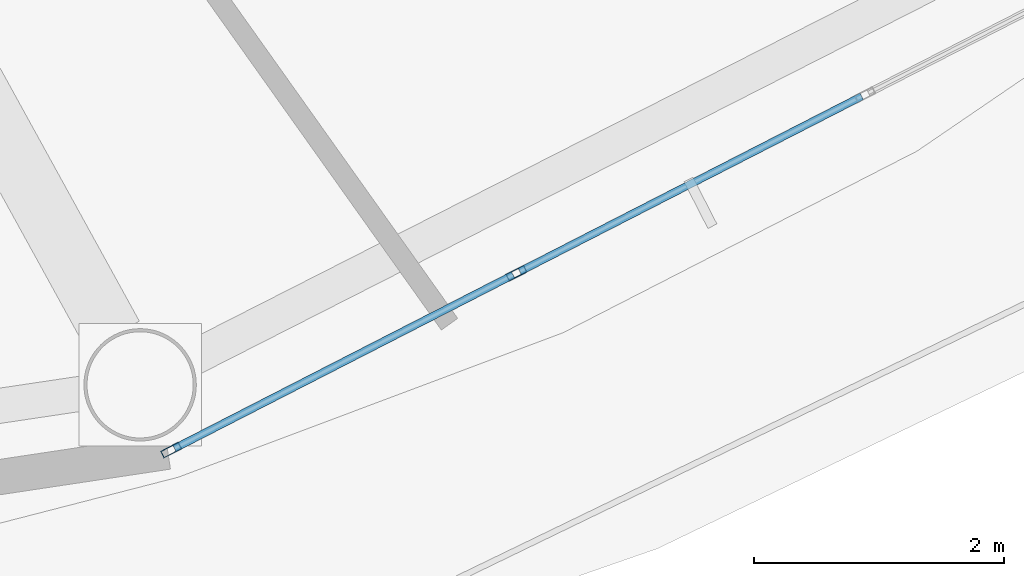
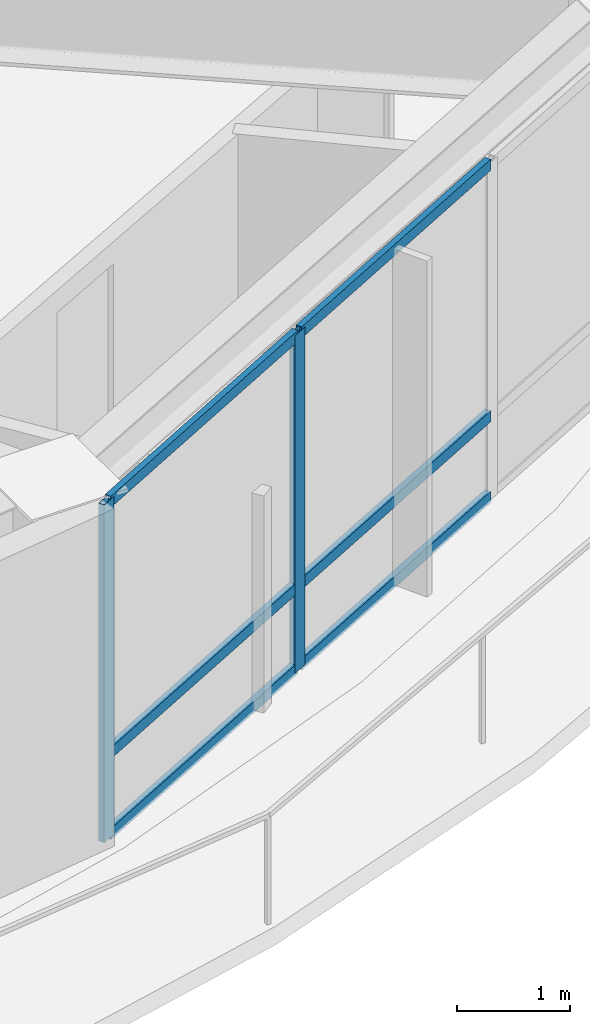
# One storey, part 5 of 24: 8 members, 1 element without a shape of its own.
"""IFC4 building model written with IfcOpenShell, lengths in metres."""

from ifc_helpers import new_model, si_unit, direction, frame, origin, origin_2d, place, context, subcontext, project, spatial, hollow_rectangle, extrude, material, layer, layer_set, material_profile, profile_set, type_object, element, aggregate, save


model = new_model("IFC4")

# Units and contexts
model_context = context("Model", 3, precision=1e-05, world=origin(), true_north=direction((0.0, 1.0)))
body_context = subcontext(model_context, "Body", "Model", "MODEL_VIEW")
ifc_project = project(units=[si_unit("LENGTHUNIT", "METRE"), si_unit("AREAUNIT", "SQUARE_METRE"), si_unit("VOLUMEUNIT", "CUBIC_METRE"), si_unit("PLANEANGLEUNIT", "RADIAN"), si_unit("MASSUNIT", "GRAM", prefix="KILO")], contexts=[model_context])

# Site, building, storey
site_placement = place(None, origin())
site = spatial("IfcSite", under=ifc_project, at=site_placement, CompositionType="ELEMENT")
building_placement = place(site_placement, origin())
building = spatial("IfcBuilding", under=site, at=building_placement, Name="Sarneth Arch Tower", CompositionType="ELEMENT")
storey_placement = place(building_placement, frame((0.0, 0.0, 312.60009765625)))
storey = spatial("IfcBuildingStorey", under=building, at=storey_placement, Name="L81", CompositionType="ELEMENT", Elevation=312.60009765625)

# Curtain wall, members
ifc_material_1 = material(Name="Anodised aluminium Type AA25 and solar-control low-e laminated IGU", Category="aluminium")
ifc_layer = layer(ifc_material_1, 0.179931640625)
ifc_layer_set = layer_set([ifc_layer], Name="Anodised aluminium Type AA25 and solar-control low-e laminated IGU")
curtain_wall_type = type_object("IfcCurtainWallType", Name="CW-RES-HIGH", PredefinedType="NOTDEFINED", material=ifc_layer_set)
curtain_wall_placement = place(storey_placement, origin())
curtain_wall = element("IfcCurtainWall", 1, at=curtain_wall_placement, inside=storey, type_object=curtain_wall_type, Name="L81 Unitised curtain wall facet 14", PredefinedType="NOTDEFINED")
ifc_material_2 = material(Name="Anodised Aluminium 6063-T6", Category="aluminium")
ifc_material_profile_1 = material_profile(ifc_material_2, hollow_rectangle(XDim=0.06005859375, YDim=0.159912109375, WallThickness=0.00390625, at=origin_2d()), Name="AL-MULL-160x60x4")
ifc_profile_set_1 = profile_set([ifc_material_profile_1], Name="Anodised Aluminium 6063-T6")
member_type_1 = type_object("IfcMemberType", Name="CW-MULLION", PredefinedType="MULLION", material=ifc_profile_set_1)
member_1_placement = place(storey_placement, frame((58.039306640625, 23.7392578125, 0.0), z_axis=(0.0, 0.0, 1.0), x_axis=(-0.455941901753, 0.890009540525, 0.0)))
member_1 = element("IfcMember", 2, at=member_1_placement, type_object=member_type_1, Name="CW-SYS-6 mullion 1", PredefinedType="MULLION", context=body_context, shape_type="SweptSolid", body=[
    extrude(hollow_rectangle(XDim=0.06005859375, YDim=0.159912109375, WallThickness=0.00390625, at=origin_2d()), origin(), (0.0, 0.0, 1.0), 3.639892578125),
])
member_2_placement = place(storey_placement, frame((60.802490234375, 25.155029296875, 0.0), z_axis=(0.0, 0.0, 1.0), x_axis=(-0.455941901753, 0.890009540525, 0.0)))
member_2 = element("IfcMember", 3, at=member_2_placement, type_object=member_type_1, Name="CW-SYS-6 mullion 2", PredefinedType="MULLION", context=body_context, shape_type="SweptSolid", body=[
    extrude(hollow_rectangle(XDim=0.06005859375, YDim=0.159912109375, WallThickness=0.00390625, at=origin_2d()), origin(), (0.0, 0.0, 1.0), 3.639892578125),
])
ifc_material_3 = material(Name="Anodised Aluminium 6063-T6", Category="aluminium")
ifc_material_profile_2 = material_profile(ifc_material_3, hollow_rectangle(XDim=0.06005859375, YDim=0.1201171875, WallThickness=0.00390625, at=origin_2d()), Name="AL-TRAN-120x60x4")
ifc_profile_set_2 = profile_set([ifc_material_profile_2], Name="Anodised Aluminium 6063-T6")
member_type_2 = type_object("IfcMemberType", Name="CW-TRANSOM", PredefinedType="USERDEFINED", material=ifc_profile_set_2)
member_3_placement = place(storey_placement, frame((58.066162109375, 23.7529296875, 0.02978515625), z_axis=(0.889973523166, 0.456012201662, 0.0), x_axis=(-0.456012201662, 0.889973523166, 0.0)))
member_3 = element("IfcMember", 4, at=member_3_placement, type_object=member_type_2, Name="CW-SYS-6 transom 1.1", ObjectType="TRANSOM", PredefinedType="USERDEFINED", context=body_context, shape_type="SweptSolid", body=[
    extrude(hollow_rectangle(XDim=0.06005859375, YDim=0.1201171875, WallThickness=0.00390625, at=origin_2d()), origin(), (0.0, 0.0, 1.0), 3.044677734375),
])
member_4_placement = place(storey_placement, frame((58.066162109375, 23.7529296875, 0.89990234375), z_axis=(0.889973523166, 0.456012201662, 0.0), x_axis=(-0.456012201662, 0.889973523166, 0.0)))
member_4 = element("IfcMember", 5, at=member_4_placement, type_object=member_type_2, Name="CW-SYS-6 transom 1.2", ObjectType="TRANSOM", PredefinedType="USERDEFINED", context=body_context, shape_type="SweptSolid", body=[
    extrude(hollow_rectangle(XDim=0.06005859375, YDim=0.1201171875, WallThickness=0.00390625, at=origin_2d()), origin(), (0.0, 0.0, 1.0), 3.044677734375),
])
member_5_placement = place(storey_placement, frame((58.066162109375, 23.7529296875, 3.60986328125), z_axis=(0.889973523166, 0.456012201662, 0.0), x_axis=(-0.456012201662, 0.889973523166, 0.0)))
member_5 = element("IfcMember", 6, at=member_5_placement, type_object=member_type_2, Name="CW-SYS-6 transom 1.3", ObjectType="TRANSOM", PredefinedType="USERDEFINED", context=body_context, shape_type="SweptSolid", body=[
    extrude(hollow_rectangle(XDim=0.06005859375, YDim=0.1201171875, WallThickness=0.00390625, at=origin_2d()), origin(), (0.0, 0.0, 1.0), 3.044677734375),
])
member_6_placement = place(storey_placement, frame((60.829345703125, 25.168701171875, 0.02978515625), z_axis=(0.890017432405, 0.455926496286, 0.0), x_axis=(-0.455926496286, 0.890017432405, 0.0)))
member_6 = element("IfcMember", 7, at=member_6_placement, type_object=member_type_2, Name="CW-SYS-6 transom 2.1", ObjectType="TRANSOM", PredefinedType="USERDEFINED", context=body_context, shape_type="SweptSolid", body=[
    extrude(hollow_rectangle(XDim=0.06005859375, YDim=0.1201171875, WallThickness=0.00390625, at=origin_2d()), origin(), (0.0, 0.0, 1.0), 3.07470703125),
])
member_7_placement = place(storey_placement, frame((60.829345703125, 25.168701171875, 0.89990234375), z_axis=(0.890017432405, 0.455926496286, 0.0), x_axis=(-0.455926496286, 0.890017432405, 0.0)))
member_7 = element("IfcMember", 8, at=member_7_placement, type_object=member_type_2, Name="CW-SYS-6 transom 2.2", ObjectType="TRANSOM", PredefinedType="USERDEFINED", context=body_context, shape_type="SweptSolid", body=[
    extrude(hollow_rectangle(XDim=0.06005859375, YDim=0.1201171875, WallThickness=0.00390625, at=origin_2d()), origin(), (0.0, 0.0, 1.0), 3.07470703125),
])
member_8_placement = place(storey_placement, frame((60.829345703125, 25.168701171875, 3.60986328125), z_axis=(0.890017432405, 0.455926496286, 0.0), x_axis=(-0.455926496286, 0.890017432405, 0.0)))
member_8 = element("IfcMember", 9, at=member_8_placement, type_object=member_type_2, Name="CW-SYS-6 transom 2.3", ObjectType="TRANSOM", PredefinedType="USERDEFINED", context=body_context, shape_type="SweptSolid", body=[
    extrude(hollow_rectangle(XDim=0.06005859375, YDim=0.1201171875, WallThickness=0.00390625, at=origin_2d()), origin(), (0.0, 0.0, 1.0), 3.07470703125),
])
aggregate(curtain_wall, [member_1, member_2, member_3, member_4, member_5, member_6, member_7, member_8])

save(model, "model.ifc")
